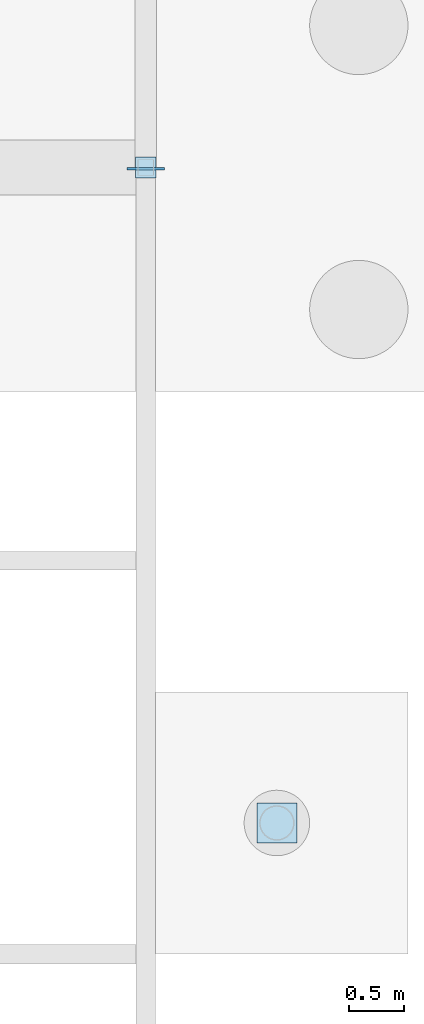
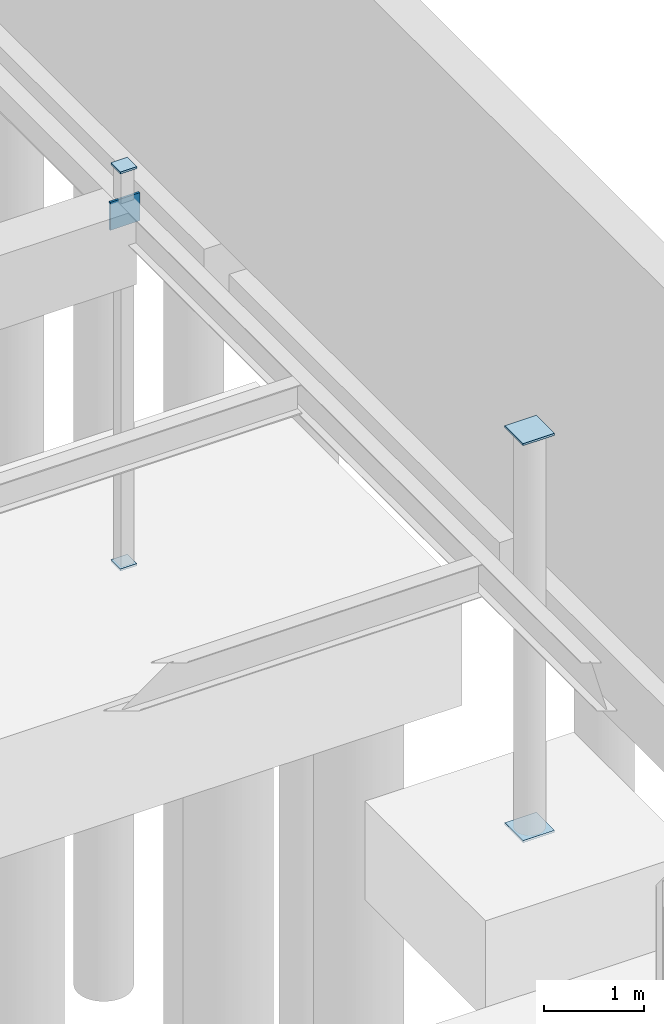
# One storey, part 111 of 136: 5 plates.
"""IFC4 building model written with IfcOpenShell, lengths in metres."""

from ifc_helpers import new_model, si_unit, direction, frame, origin, origin_2d, place, context, subcontext, project, spatial, rectangle, extrude, material, layer, layer_set, type_object, element, save


model = new_model("IFC4")

# Units and contexts
model_context = context("Model", 3, precision=1e-05, world=origin(), true_north=direction((0.0, 1.0)))
body_context = subcontext(model_context, "Body", "Model", "MODEL_VIEW")
ifc_project = project(units=[si_unit("LENGTHUNIT", "METRE"), si_unit("AREAUNIT", "SQUARE_METRE"), si_unit("VOLUMEUNIT", "CUBIC_METRE"), si_unit("PLANEANGLEUNIT", "RADIAN"), si_unit("MASSUNIT", "GRAM", prefix="KILO")], contexts=[model_context])

# Site, building, storey
site_placement = place(None, origin())
site = spatial("IfcSite", under=ifc_project, at=site_placement, CompositionType="ELEMENT")
building_placement = place(site_placement, origin())
building = spatial("IfcBuilding", under=site, at=building_placement, Name="Tarnwether General Hospital", CompositionType="ELEMENT")
storey_placement = place(building_placement, frame((0.0, 0.0, -4.800048828125)))
storey = spatial("IfcBuildingStorey", under=building, at=storey_placement, Name="LG", CompositionType="ELEMENT", Elevation=-4.800048828125)

# Plates
ifc_material = material(Name="Steel Grade 350 (350 MPa)", Category="steel")
ifc_layer = layer(ifc_material, 0.02490234375)
ifc_layer_set = layer_set([ifc_layer], Name="Steel Grade 350 (350 MPa)")
plate_type = type_object("IfcPlateType", Name="PT-GUS2", PredefinedType="USERDEFINED", material=ifc_layer_set)
for number, where, z_axis, x_axis, name in (
    (1, (192.0, 115.199951171875, -0.02490234375), (0.0, 0.0, 1.0), (1.0, 0.0, 0.0), "Hollow Section Welded End Cap Plate 0427"),
    (2, (192.0, 115.199951171875, 4.800048828125), (0.0, 0.0, 1.0), (1.0, 0.0, 0.0), "Hollow Section Welded End Cap Plate 0428"),
):
    element("IfcPlate", number, at=place(storey_placement, frame(where, z_axis=z_axis, x_axis=x_axis)), inside=storey, type_object=plate_type, Name=name, ObjectType="GUSSET", PredefinedType="USERDEFINED", context=body_context, shape_type="SweptSolid", body=[
        extrude(rectangle(XDim=0.18994140625, YDim=0.18994140625, at=origin_2d()), origin(), (0.0, 0.0, 1.0), 0.02490234375),
    ])
for number, where, z_axis, x_axis, name in (
    (3, (193.199951171875, 109.199951171875, -0.02490234375), (0.0, 0.0, 1.0), (1.0, 0.0, 0.0), "Hollow Section Welded End Cap Plate 0783"),
    (4, (193.199951171875, 109.199951171875, 4.800048828125), (0.0, 0.0, 1.0), (1.0, 0.0, 0.0), "Hollow Section Welded End Cap Plate 0784"),
):
    element("IfcPlate", number, at=place(storey_placement, frame(where, z_axis=z_axis, x_axis=x_axis)), inside=storey, type_object=plate_type, Name=name, ObjectType="GUSSET", PredefinedType="USERDEFINED", context=body_context, shape_type="SweptSolid", body=[
        extrude(rectangle(XDim=0.364013671875, YDim=0.364013671875, at=origin_2d()), origin(), (0.0, 0.0, 1.0), 0.02490234375),
    ])
plate_placement = place(storey_placement, frame((192.0, 115.1875, 4.10009765625), z_axis=(0.0, 0.0, 1.0), x_axis=(0.0, 1.0, 0.0)))
element("IfcPlate", 5, at=plate_placement, inside=storey, type_object=plate_type, Name="Hollow Section Welded End Cap Plate 0855", ObjectType="GUSSET", PredefinedType="USERDEFINED", context=body_context, shape_type="SweptSolid", body=[
    extrude(rectangle(XDim=0.02490234375, YDim=0.340087890625, at=origin_2d()), origin(), (0.0, 0.0, 1.0), 0.340087890625),
])

save(model, "model.ifc")
